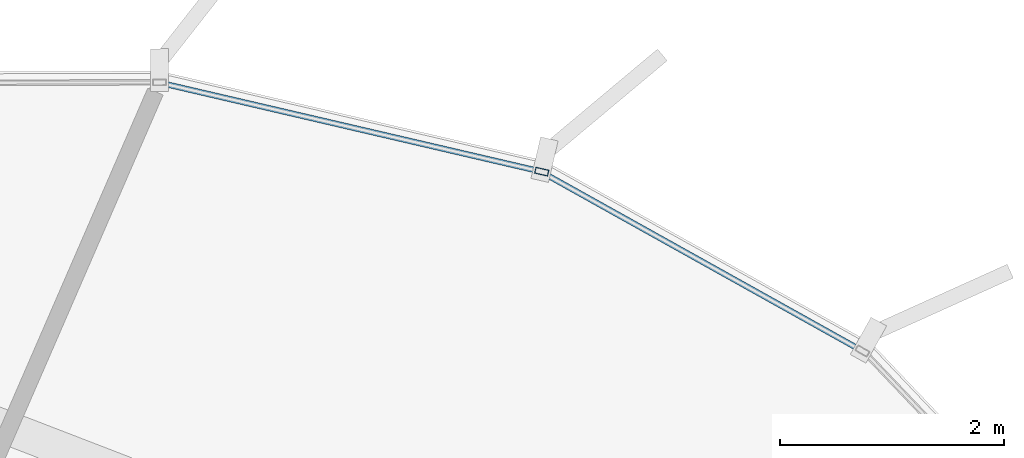
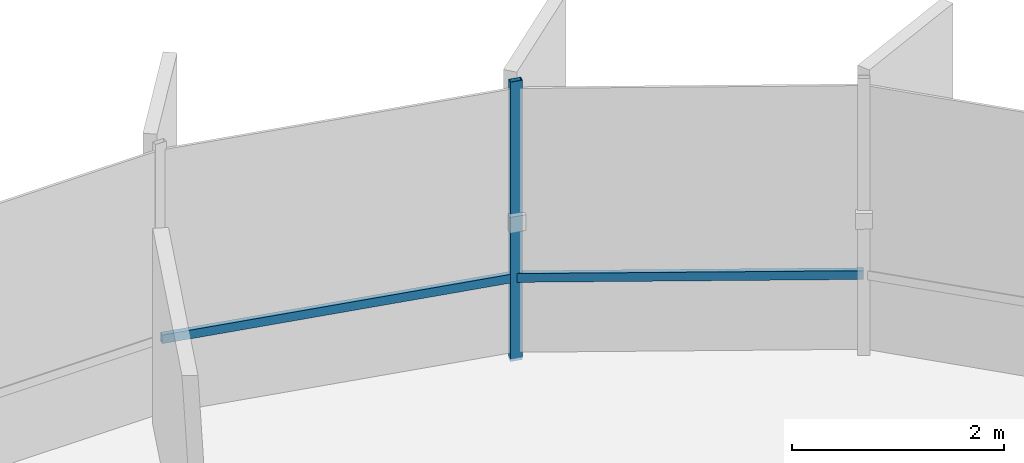
# One storey, part 27 of 35: 3 members, 1 element without a shape of its own.
"""IFC4 building model written with IfcOpenShell, lengths in metres."""

from ifc_helpers import new_model, si_unit, direction, frame, origin, origin_2d, place, context, subcontext, project, spatial, hollow_rectangle, extrude, source, transform, mapped, material, layer, layer_set, material_profile, profile_set, type_object, element, aggregate, save


model = new_model("IFC4")

# Units and contexts
model_context = context("Model", 3, precision=1e-05, world=origin(), true_north=direction((0.0, 1.0)))
body_context = subcontext(model_context, "Body", "Model", "MODEL_VIEW")
ifc_project = project(units=[si_unit("LENGTHUNIT", "METRE"), si_unit("AREAUNIT", "SQUARE_METRE"), si_unit("VOLUMEUNIT", "CUBIC_METRE"), si_unit("PLANEANGLEUNIT", "RADIAN"), si_unit("MASSUNIT", "GRAM", prefix="KILO"), si_unit("THERMODYNAMICTEMPERATUREUNIT", "KELVIN")], contexts=[model_context])

# Site, building, storey
site_placement = place(None, origin())
site = spatial("IfcSite", under=ifc_project, at=site_placement, CompositionType="ELEMENT")
building_placement = place(site_placement, origin())
building = spatial("IfcBuilding", under=site, at=building_placement, Name="Kethvar Cultural Tower", CompositionType="ELEMENT")
storey_placement = place(building_placement, frame((0.0, 0.0, 245.64990234375)))
storey = spatial("IfcBuildingStorey", under=building, at=storey_placement, Name="L64", CompositionType="ELEMENT", Elevation=245.64990234375)

# Curtain wall, members
ifc_material = material(Name="Aluminium 6063-T6", Category="aluminium")
ifc_layer = layer(ifc_material, 0.179931640625, Name="Aluminium 6063-T6", Category="aluminium")
ifc_layer_set = layer_set([ifc_layer], Name="Aluminium 6063-T6 (180 mm)")
curtain_wall_type = type_object("IfcCurtainWallType", Name="CW-SYS-05-Z56", PredefinedType="NOTDEFINED", material=ifc_layer_set)
curtain_wall_placement = place(storey_placement, origin())
curtain_wall = element("IfcCurtainWall", 1, at=curtain_wall_placement, inside=storey, type_object=curtain_wall_type, Name="L64 Curtain Wall Run 01", PredefinedType="NOTDEFINED")
ifc_material_profile_1 = material_profile(ifc_material, hollow_rectangle(XDim=0.054931640625, YDim=0.1201171875, WallThickness=0.00390625, at=origin_2d()), Name="Aluminium 6063-T6 — RHS120x55x4")
ifc_profile_set_1 = profile_set([ifc_material_profile_1], Name="Aluminium 6063-T6 — RHS120x55x4")
member_type_1 = type_object("IfcMemberType", Name="CW-SYS-05-Z56-MUL", PredefinedType="MULLION", material=ifc_profile_set_1)
shared_shape_1 = source(origin(), body_context, "Body", "SweptSolid", [
    extrude(hollow_rectangle(XDim=0.054931640625, YDim=0.1201171875, WallThickness=0.00390625, at=origin_2d()), origin(), (0.0, 0.0, 1.0), 3.210205078125),
])
member_1_placement = place(storey_placement, frame((60.530517578125, 50.8212890625, 0.0), z_axis=(0.0, 0.0, 1.0), x_axis=(-0.226736302011, -0.973956184513, 0.0)))
member_1 = element("IfcMember", 2, at=member_1_placement, type_object=member_type_1, Name="CW-L64-R01 Mullion 2", PredefinedType="MULLION", context=body_context, shape_type="MappedRepresentation", body=[
    mapped(shared_shape_1, transform((0.0, 0.0, 0.0), scale=1.0)),
])
ifc_material_profile_2 = material_profile(ifc_material, hollow_rectangle(XDim=0.050048828125, YDim=0.10009765625, WallThickness=0.00390625, at=origin_2d()), Name="Aluminium 6063-T6 — RHS100x50x4")
ifc_profile_set_2 = profile_set([ifc_material_profile_2], Name="Aluminium 6063-T6 — RHS100x50x4")
member_type_2 = type_object("IfcMemberType", Name="CW-SYS-05-Z56-TRN", PredefinedType="USERDEFINED", material=ifc_profile_set_2)
shared_shape_2 = source(origin(), body_context, "Body", "SweptSolid", [
    extrude(hollow_rectangle(XDim=0.050048828125, YDim=0.10009765625, WallThickness=0.00390625, at=origin_2d()), origin(), (0.0, 0.0, 1.0), 3.261474609375),
])
member_2_placement = place(storey_placement, frame((63.387451171875, 49.2236328125, 0.9501953125), z_axis=(-0.873351014328, 0.487091373124, 0.0), x_axis=(-0.487091373124, -0.873351014328, 0.0)))
member_2 = element("IfcMember", 3, at=member_2_placement, type_object=member_type_2, Name="CW-L64-R01 Transom 1", ObjectType="TRANSOM", PredefinedType="USERDEFINED", context=body_context, shape_type="MappedRepresentation", body=[
    mapped(shared_shape_2, transform((0.0, 0.0, 0.0), scale=1.0)),
])
shared_shape_3 = source(origin(), body_context, "Body", "SweptSolid", [
    extrude(hollow_rectangle(XDim=0.050048828125, YDim=0.10009765625, WallThickness=0.00390625, at=origin_2d()), origin(), (0.0, 0.0, 1.0), 3.4453125),
])
member_3_placement = place(storey_placement, frame((60.491943359375, 50.830322265625, 0.9501953125), z_axis=(-0.973949820562, 0.226763636918, 0.0), x_axis=(-0.226763636918, -0.973949820562, 0.0)))
member_3 = element("IfcMember", 4, at=member_3_placement, type_object=member_type_2, Name="CW-L64-R01 Transom 2", ObjectType="TRANSOM", PredefinedType="USERDEFINED", context=body_context, shape_type="MappedRepresentation", body=[
    mapped(shared_shape_3, transform((0.0, 0.0, 0.0), scale=1.0)),
])
aggregate(curtain_wall, [member_1, member_2, member_3])

save(model, "model.ifc")
